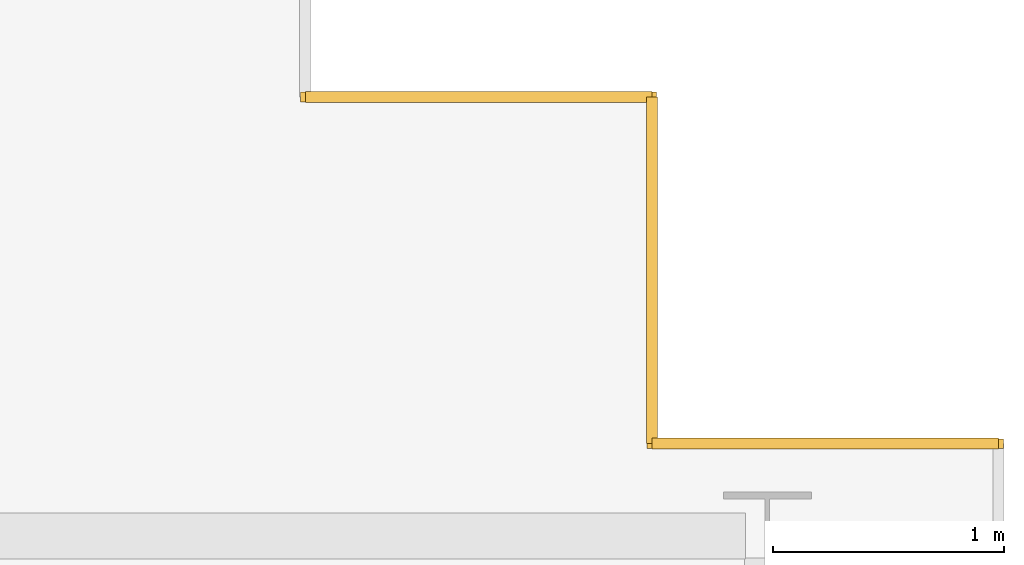
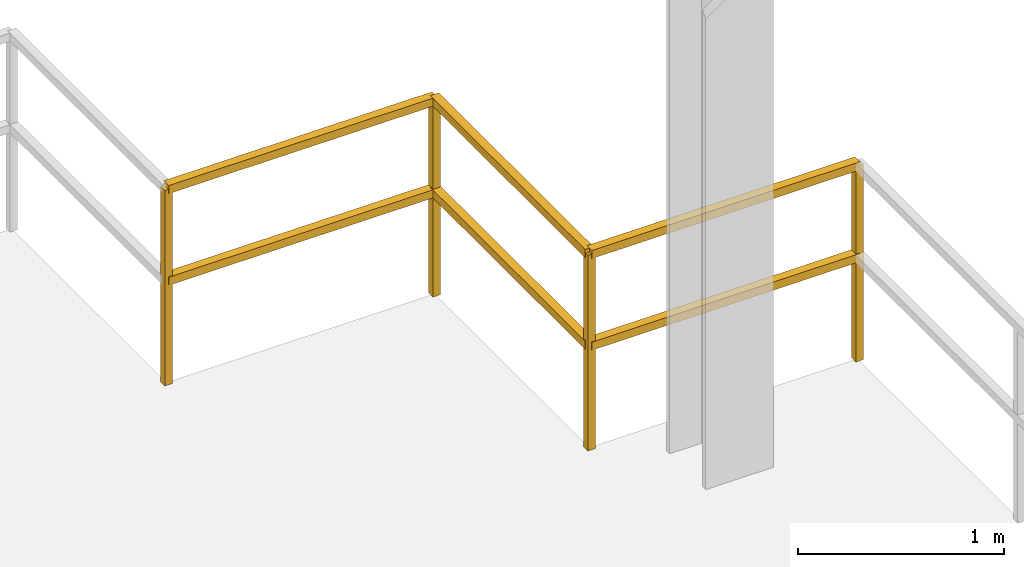
# One storey, part 14 of 14: 3 railings.
"""IFC4 building model written with IfcOpenShell, lengths in metres."""

from ifc_helpers import new_model, si_unit, direction, frame, origin, origin_2d, place, context, subcontext, project, spatial, rectangle, extrude, material, type_object, element, save


model = new_model("IFC4")

# Units and contexts
model_context = context("Model", 3, precision=1e-05, world=origin(), true_north=direction((0.0, 1.0)))
body_context = subcontext(model_context, "Body", "Model", "MODEL_VIEW")
ifc_project = project(units=[si_unit("LENGTHUNIT", "METRE"), si_unit("AREAUNIT", "SQUARE_METRE"), si_unit("VOLUMEUNIT", "CUBIC_METRE"), si_unit("PLANEANGLEUNIT", "RADIAN"), si_unit("MASSUNIT", "GRAM", prefix="KILO")], contexts=[model_context])

# Site, building, storey
site_placement = place(None, origin())
site = spatial("IfcSite", under=ifc_project, at=site_placement, CompositionType="ELEMENT")
building_placement = place(site_placement, origin())
building = spatial("IfcBuilding", under=site, at=building_placement, Name="Trelvane Seafront Commons", CompositionType="ELEMENT")
storey_placement = place(building_placement, frame((0.0, 0.0, 182.5)))
storey = spatial("IfcBuildingStorey", under=building, at=storey_placement, Name="L48", CompositionType="ELEMENT", Elevation=182.5)

# Railings
ifc_material = material(Name="Stainless steel balustrade", Category="steel")
railing_type = type_object("IfcRailingType", Name="ARCH-RAIL-BAL1150", PredefinedType="BALUSTRADE", material=ifc_material)
railing_1_placement = place(storey_placement, frame((66.60009765625, 45.5, 0.0)))
element("IfcRailing", 1, at=railing_1_placement, inside=storey, type_object=railing_type, Name="RL-L48-PERIM-07", PredefinedType="BALUSTRADE", context=body_context, shape_type="SweptSolid", body=[
    extrude(rectangle(XDim=0.048095703125, YDim=0.048095703125, at=origin_2d()), frame((0.0, 0.0, 1.15576171875), z_axis=(-1.0, 0.0, 0.0), x_axis=(0.0, -1.0, 0.0)), (0.0, 0.0, 1.0), 1.5),
    extrude(rectangle(XDim=0.048095703125, YDim=0.048095703125, at=origin_2d()), frame((0.0, 0.0, 0.613525390625), z_axis=(-1.0, 0.0, 0.0), x_axis=(0.0, -1.0, 0.0)), (0.0, 0.0, 1.0), 1.5),
    extrude(rectangle(XDim=0.0419921875, YDim=0.0419921875, at=origin_2d()), origin(), (0.0, 0.0, 1.0), 1.15576171875),
    extrude(rectangle(XDim=0.0419921875, YDim=0.0419921875, at=origin_2d()), frame((-1.5, 0.0, 0.0)), (0.0, 0.0, 1.0), 1.15576171875),
])
railing_2_placement = place(storey_placement, frame((65.10009765625, 45.5, 0.0)))
element("IfcRailing", 2, at=railing_2_placement, inside=storey, type_object=railing_type, Name="RL-L48-PERIM-08", PredefinedType="BALUSTRADE", context=body_context, shape_type="SweptSolid", body=[
    extrude(rectangle(XDim=0.048095703125, YDim=0.048095703125, at=origin_2d()), frame((0.0, 0.0, 1.15576171875), z_axis=(0.0, 1.0, 0.0), x_axis=(-1.0, 0.0, 0.0)), (0.0, 0.0, 1.0), 1.5),
    extrude(rectangle(XDim=0.048095703125, YDim=0.048095703125, at=origin_2d()), frame((0.0, 0.0, 0.613525390625), z_axis=(0.0, 1.0, 0.0), x_axis=(-1.0, 0.0, 0.0)), (0.0, 0.0, 1.0), 1.5),
    extrude(rectangle(XDim=0.0419921875, YDim=0.0419921875, at=origin_2d()), origin(), (0.0, 0.0, 1.0), 1.15576171875),
    extrude(rectangle(XDim=0.0419921875, YDim=0.0419921875, at=origin_2d()), frame((0.0, 1.5, 0.0)), (0.0, 0.0, 1.0), 1.15576171875),
])
railing_3_placement = place(storey_placement, frame((65.10009765625, 47.0, 0.0)))
element("IfcRailing", 3, at=railing_3_placement, inside=storey, type_object=railing_type, Name="RL-L48-PERIM-09", PredefinedType="BALUSTRADE", context=body_context, shape_type="SweptSolid", body=[
    extrude(rectangle(XDim=0.048095703125, YDim=0.048095703125, at=origin_2d()), frame((0.0, 0.0, 1.15576171875), z_axis=(-1.0, 0.0, 0.0), x_axis=(0.0, -1.0, 0.0)), (0.0, 0.0, 1.0), 1.5),
    extrude(rectangle(XDim=0.048095703125, YDim=0.048095703125, at=origin_2d()), frame((0.0, 0.0, 0.613525390625), z_axis=(-1.0, 0.0, 0.0), x_axis=(0.0, -1.0, 0.0)), (0.0, 0.0, 1.0), 1.5),
    extrude(rectangle(XDim=0.0419921875, YDim=0.0419921875, at=origin_2d()), origin(), (0.0, 0.0, 1.0), 1.15576171875),
    extrude(rectangle(XDim=0.0419921875, YDim=0.0419921875, at=origin_2d()), frame((-1.5, 0.0, 0.0)), (0.0, 0.0, 1.0), 1.15576171875),
])

save(model, "model.ifc")
